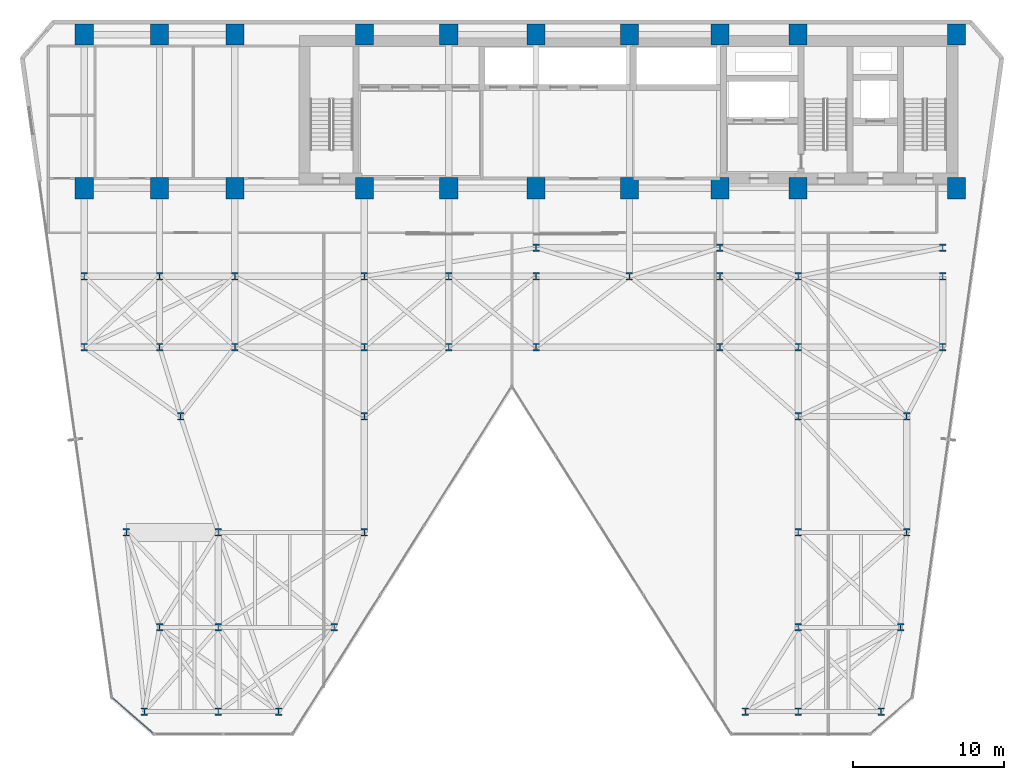
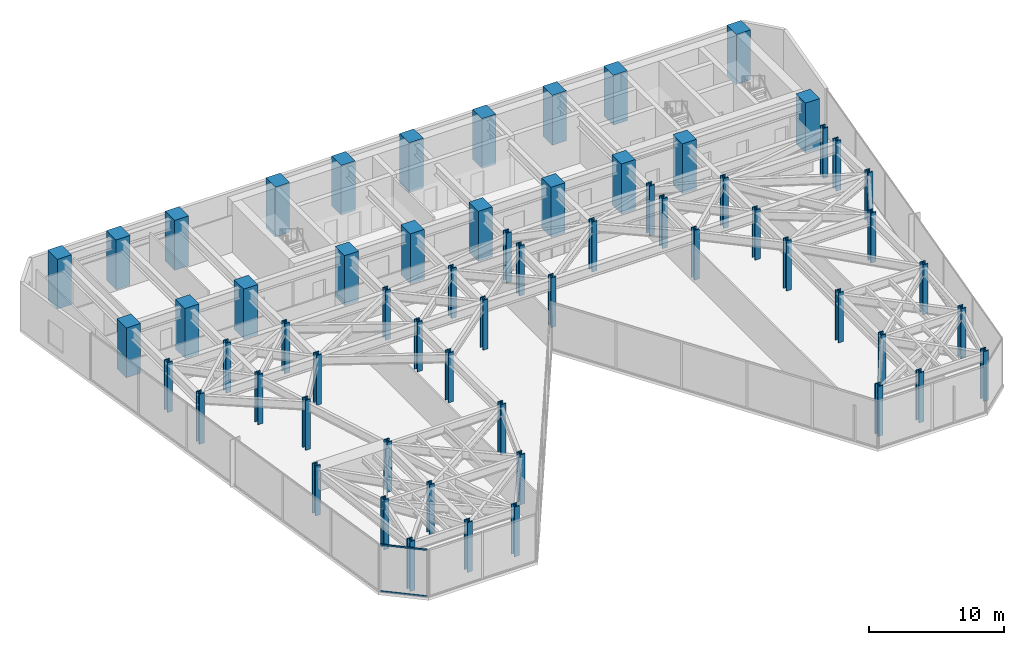
# One storey, part 1 of 28: 62 columns, 2 members, 1 element without a shape of its own.
"""IFC4 building model written with IfcOpenShell, lengths in metres."""

from ifc_helpers import new_model, si_unit, direction, frame, origin, origin_2d, place, context, subcontext, project, spatial, rectangle, hollow_rectangle, i_section, extrude, material, layer, layer_set, material_profile, profile_set, type_object, element, aggregate, save


model = new_model("IFC4")

# Units and contexts
model_context = context("Model", 3, precision=1e-05, world=origin(), true_north=direction((0.0, 1.0)))
body_context = subcontext(model_context, "Body", "Model", "MODEL_VIEW")
ifc_project = project(units=[si_unit("LENGTHUNIT", "METRE"), si_unit("AREAUNIT", "SQUARE_METRE"), si_unit("VOLUMEUNIT", "CUBIC_METRE"), si_unit("PLANEANGLEUNIT", "RADIAN"), si_unit("MASSUNIT", "GRAM", prefix="KILO")], contexts=[model_context])

# Site, building, storey
site_placement = place(None, origin())
site = spatial("IfcSite", under=ifc_project, at=site_placement, CompositionType="ELEMENT")
building_placement = place(site_placement, origin())
building = spatial("IfcBuilding", under=site, at=building_placement, Name="Kravanh Interchange Tower", CompositionType="ELEMENT")
storey_placement = place(building_placement, frame((0.0, 0.0, 91.5)))
storey = spatial("IfcBuildingStorey", under=building, at=storey_placement, Name="L21", CompositionType="ELEMENT", Elevation=91.5)

# Columns
ifc_material_1 = material(Name="Concrete C70/85", Category="concrete")
ifc_material_profile_1 = material_profile(ifc_material_1, rectangle(XDim=1.199951171875, YDim=1.39990234375, at=origin_2d()), Name="RC1200X1400")
ifc_profile_set_1 = profile_set([ifc_material_profile_1], Name="Concrete C70/85")
column_type_1 = type_object("IfcColumnType", Name="Column RC1200X1400 Concrete C70/85", PredefinedType="COLUMN", material=ifc_profile_set_1)
for number, where, z_axis, x_axis, name in (
    (1, (66.5, 47.550048828125, 0.0), (0.0, 0.0, 1.0), (1.0, 0.0, 0.0), "L21 Column CS01"),
    (2, (56.0, 47.550048828125, 0.0), (0.0, 0.0, 1.0), (1.0, 0.0, 0.0), "L21 Column CS02"),
    (3, (66.5, 37.35009765625, 0.0), (0.0, 0.0, 1.0), (1.0, 0.0, 0.0), "L21 Column CS03"),
    (4, (56.0, 37.35009765625, 0.0), (0.0, 0.0, 1.0), (1.0, 0.0, 0.0), "L21 Column CS04"),
    (5, (50.800048828125, 47.550048828125, 0.0), (0.0, 0.0, 1.0), (1.0, 0.0, 0.0), "L21 Column CS05"),
    (6, (50.800048828125, 37.35009765625, 0.0), (0.0, 0.0, 1.0), (1.0, 0.0, 0.0), "L21 Column CS06"),
    (7, (44.800048828125, 37.35009765625, 0.0), (0.0, 0.0, 1.0), (1.0, 0.0, 0.0), "L21 Column CS07"),
    (8, (44.800048828125, 47.550048828125, 0.0), (0.0, 0.0, 1.0), (1.0, 0.0, 0.0), "L21 Column CS08"),
    (9, (38.60009765625, 37.35009765625, 0.0), (0.0, 0.0, 1.0), (1.0, 0.0, 0.0), "L21 Column CS09"),
    (10, (38.60009765625, 47.550048828125, 0.0), (0.0, 0.0, 1.0), (1.0, 0.0, 0.0), "L21 Column CS10"),
    (11, (32.800048828125, 37.35009765625, 0.0), (0.0, 0.0, 1.0), (1.0, 0.0, 0.0), "L21 Column CS11"),
    (12, (32.800048828125, 47.550048828125, 0.0), (0.0, 0.0, 1.0), (1.0, 0.0, 0.0), "L21 Column CS12"),
    (13, (27.199951171875, 37.35009765625, 0.0), (0.0, 0.0, 1.0), (1.0, 0.0, 0.0), "L21 Column CS13"),
    (14, (27.199951171875, 47.550048828125, 0.0), (0.0, 0.0, 1.0), (1.0, 0.0, 0.0), "L21 Column CS14"),
    (15, (18.60009765625, 37.35009765625, 0.0), (0.0, 0.0, 1.0), (1.0, 0.0, 0.0), "L21 Column CS17"),
    (16, (18.60009765625, 47.550048828125, 0.0), (0.0, 0.0, 1.0), (1.0, 0.0, 0.0), "L21 Column CS18"),
    (17, (13.60009765625, 37.35009765625, 0.0), (0.0, 0.0, 1.0), (1.0, 0.0, 0.0), "L21 Column CS19"),
    (18, (13.60009765625, 47.550048828125, 0.0), (0.0, 0.0, 1.0), (1.0, 0.0, 0.0), "L21 Column CS20"),
    (19, (8.60009765625, 37.35009765625, 0.0), (0.0, 0.0, 1.0), (1.0, 0.0, 0.0), "L21 Column CS21"),
    (20, (8.60009765625, 47.550048828125, 0.0), (0.0, 0.0, 1.0), (1.0, 0.0, 0.0), "L21 Column CS22"),
):
    element("IfcColumn", number, at=place(storey_placement, frame(where, z_axis=z_axis, x_axis=x_axis)), inside=storey, type_object=column_type_1, Name=name, PredefinedType="COLUMN", context=body_context, shape_type="SweptSolid", body=[
        extrude(rectangle(XDim=1.199951171875, YDim=1.39990234375, at=origin_2d()), origin(), (0.0, 0.0, 1.0), 4.5),
    ])
ifc_material_2 = material(Name="Structural Steel S450", Category="steel")
ifc_material_profile_2 = material_profile(ifc_material_2, i_section(OverallWidth=0.431884765625, OverallDepth=0.498046875, WebThickness=0.0556640625, FlangeThickness=0.0888671875, FilletRadius=0.030029296875, at=origin_2d()), Name="W14X500")
ifc_profile_set_2 = profile_set([ifc_material_profile_2], Name="Structural Steel S450")
column_type_2 = type_object("IfcColumnType", Name="Column W14X500 Structural Steel S450", PredefinedType="COLUMN", material=ifc_profile_set_2)
for number, where, z_axis, x_axis, name in (
    (21, (12.60009765625, 2.60009765625, 0.0), (0.0, 0.0, 1.0), (1.0, 0.0, 0.0), "L21 Column CZ1_1"),
    (22, (56.0, 14.5, 0.0), (0.0, 0.0, 1.0), (1.0, 0.0, 0.0), "L21 Column CZ1_10"),
    (23, (63.199951171875, 14.5, 0.0), (0.0, 0.0, 1.0), (1.0, 0.0, 0.0), "L21 Column CZ1_11"),
    (24, (15.0, 22.199951171875, 0.0), (0.0, 0.0, 1.0), (1.0, 0.0, 0.0), "L21 Column CZ1_11B"),
    (25, (27.199951171875, 22.199951171875, 0.0), (0.0, 0.0, 1.0), (1.0, 0.0, 0.0), "L21 Column CZ1_11C"),
    (26, (56.0, 22.199951171875, 0.0), (0.0, 0.0, 1.0), (1.0, 0.0, 0.0), "L21 Column CZ1_11D"),
    (27, (63.199951171875, 22.199951171875, 0.0), (0.0, 0.0, 1.0), (1.0, 0.0, 0.0), "L21 Column CZ1_11E"),
    (28, (8.60009765625, 26.800048828125, 0.0), (0.0, 0.0, 1.0), (1.0, 0.0, 0.0), "L21 Column CZ1_12"),
    (29, (13.60009765625, 26.800048828125, 0.0), (0.0, 0.0, 1.0), (1.0, 0.0, 0.0), "L21 Column CZ1_13"),
    (30, (18.60009765625, 26.800048828125, 0.0), (0.0, 0.0, 1.0), (1.0, 0.0, 0.0), "L21 Column CZ1_14"),
    (31, (27.199951171875, 26.800048828125, 0.0), (0.0, 0.0, 1.0), (1.0, 0.0, 0.0), "L21 Column CZ1_15"),
    (32, (32.800048828125, 26.800048828125, 0.0), (0.0, 0.0, 1.0), (1.0, 0.0, 0.0), "L21 Column CZ1_16"),
    (33, (38.60009765625, 26.800048828125, 0.0), (0.0, 0.0, 1.0), (1.0, 0.0, 0.0), "L21 Column CZ1_16B"),
    (34, (50.800048828125, 26.800048828125, 0.0), (0.0, 0.0, 1.0), (1.0, 0.0, 0.0), "L21 Column CZ1_17"),
    (35, (56.0, 26.800048828125, 0.0), (0.0, 0.0, 1.0), (1.0, 0.0, 0.0), "L21 Column CZ1_18"),
    (36, (65.60009765625, 26.800048828125, 0.0), (0.0, 0.0, 1.0), (1.0, 0.0, 0.0), "L21 Column CZ1_19"),
    (37, (8.60009765625, 31.5, 0.0), (0.0, 0.0, 1.0), (1.0, 0.0, 0.0), "L21 Column CZ1_19B"),
    (38, (13.60009765625, 31.5, 0.0), (0.0, 0.0, 1.0), (1.0, 0.0, 0.0), "L21 Column CZ1_19C"),
    (39, (17.5, 2.60009765625, 0.0), (0.0, 0.0, 1.0), (1.0, 0.0, 0.0), "L21 Column CZ1_2"),
    (40, (18.60009765625, 31.5, 0.0), (0.0, 0.0, 1.0), (1.0, 0.0, 0.0), "L21 Column CZ1_20"),
    (41, (27.199951171875, 31.5, 0.0), (0.0, 0.0, 1.0), (1.0, 0.0, 0.0), "L21 Column CZ1_21"),
    (42, (32.800048828125, 31.5, 0.0), (0.0, 0.0, 1.0), (1.0, 0.0, 0.0), "L21 Column CZ1_22"),
    (43, (38.60009765625, 31.5, 0.0), (0.0, 0.0, 1.0), (1.0, 0.0, 0.0), "L21 Column CZ1_23"),
    (44, (44.800048828125, 31.5, 0.0), (0.0, 0.0, 1.0), (1.0, 0.0, 0.0), "L21 Column CZ1_24"),
    (45, (50.800048828125, 31.5, 0.0), (0.0, 0.0, 1.0), (1.0, 0.0, 0.0), "L21 Column CZ1_25"),
    (46, (56.0, 31.5, 0.0), (0.0, 0.0, 1.0), (1.0, 0.0, 0.0), "L21 Column CZ1_26"),
    (47, (65.60009765625, 31.5, 0.0), (0.0, 0.0, 1.0), (1.0, 0.0, 0.0), "L21 Column CZ1_27"),
    (48, (21.5, 2.60009765625, 0.0), (0.0, 0.0, 1.0), (1.0, 0.0, 0.0), "L21 Column CZ1_3"),
    (49, (52.5, 2.60009765625, 0.0), (0.0, 0.0, 1.0), (1.0, 0.0, 0.0), "L21 Column CZ1_4"),
    (50, (56.0, 2.60009765625, 0.0), (0.0, 0.0, 1.0), (1.0, 0.0, 0.0), "L21 Column CZ1_5"),
    (51, (61.5, 2.60009765625, 0.0), (0.0, 0.0, 1.0), (1.0, 0.0, 0.0), "L21 Column CZ1_5B"),
    (52, (13.60009765625, 8.199951171875, 0.0), (0.0, 0.0, 1.0), (1.0, 0.0, 0.0), "L21 Column CZ1_6"),
    (53, (17.5, 8.199951171875, 0.0), (0.0, 0.0, 1.0), (1.0, 0.0, 0.0), "L21 Column CZ1_6B"),
    (54, (25.199951171875, 8.199951171875, 0.0), (0.0, 0.0, 1.0), (1.0, 0.0, 0.0), "L21 Column CZ1_6C"),
    (55, (56.0, 8.199951171875, 0.0), (0.0, 0.0, 1.0), (1.0, 0.0, 0.0), "L21 Column CZ1_6D"),
    (56, (62.800048828125, 8.199951171875, 0.0), (0.0, 0.0, 1.0), (1.0, 0.0, 0.0), "L21 Column CZ1_6E"),
    (57, (11.39990234375, 14.5, 0.0), (0.0, 0.0, 1.0), (1.0, 0.0, 0.0), "L21 Column CZ1_7"),
    (58, (17.5, 14.5, 0.0), (0.0, 0.0, 1.0), (1.0, 0.0, 0.0), "L21 Column CZ1_7B"),
    (59, (27.199951171875, 14.5, 0.0), (0.0, 0.0, 1.0), (1.0, 0.0, 0.0), "L21 Column CZ1_8"),
    (60, (38.60009765625, 33.39990234375, 0.0), (0.0, 0.0, 1.0), (1.0, 0.0, 0.0), "L21 Column CZ1_M1"),
    (61, (50.800048828125, 33.39990234375, 0.0), (0.0, 0.0, 1.0), (1.0, 0.0, 0.0), "L21 Column CZ1_M2"),
    (62, (65.60009765625, 33.39990234375, 0.0), (0.0, 0.0, 1.0), (1.0, 0.0, 0.0), "L21 Column CZ1_M3"),
):
    element("IfcColumn", number, at=place(storey_placement, frame(where, z_axis=z_axis, x_axis=x_axis)), inside=storey, type_object=column_type_2, Name=name, PredefinedType="COLUMN", context=body_context, shape_type="SweptSolid", body=[
        extrude(i_section(OverallWidth=0.431884765625, OverallDepth=0.498046875, WebThickness=0.0556640625, FlangeThickness=0.0888671875, FilletRadius=0.030029296875, at=origin_2d()), origin(), (0.0, 0.0, 1.0), 4.5),
    ])

# Curtain wall, members
ifc_material_3 = material(Name="Anodised Bronze Aluminium", Category="aluminium")
ifc_layer = layer(ifc_material_3, 0.179931640625)
ifc_layer_set = layer_set([ifc_layer], Name="Unitised Curtain Wall System CW-SKY Sky Observatory")
curtain_wall_type = type_object("IfcCurtainWallType", Name="Unitised Curtain Wall System CW-SKY Sky Observatory", PredefinedType="NOTDEFINED", material=ifc_layer_set)
curtain_wall_placement = place(storey_placement, origin())
curtain_wall = element("IfcCurtainWall", 63, at=curtain_wall_placement, inside=storey, type_object=curtain_wall_type, Name="L21 Unitised Curtain Wall CW-L21-08", PredefinedType="NOTDEFINED")
ifc_material_4 = material(Name="Anodised Bronze Aluminium", Category="aluminium")
ifc_material_profile_3 = material_profile(ifc_material_4, hollow_rectangle(XDim=0.06005859375, YDim=0.139892578125, WallThickness=0.00390625, at=origin_2d()), Name="ALU60X140X4")
ifc_profile_set_3 = profile_set([ifc_material_profile_3], Name="Anodised Bronze Aluminium")
member_type = type_object("IfcMemberType", Name="Curtain Wall Transom ALU60X140X4 Bronze", PredefinedType="USERDEFINED", material=ifc_profile_set_3)
member_1_placement = place(storey_placement, frame((13.167724609375, 1.166015625, 0.030029296875), z_axis=(-0.754710815466, 0.656057608004, 0.0), x_axis=(-0.656057608004, -0.754710815466, 0.0)))
member_1 = element("IfcMember", 64, at=member_1_placement, type_object=member_type, Name="CW-SKY transom 1.1", ObjectType="TRANSOM", PredefinedType="USERDEFINED", context=body_context, shape_type="SweptSolid", body=[
    extrude(hollow_rectangle(XDim=0.06005859375, YDim=0.139892578125, WallThickness=0.00390625, at=origin_2d()), origin(), (0.0, 0.0, 1.0), 3.543701171875),
])
member_2_placement = place(storey_placement, frame((13.167724609375, 1.166015625, 4.219970703125), z_axis=(-0.754710815466, 0.656057608004, 0.0), x_axis=(-0.656057608004, -0.754710815466, 0.0)))
member_2 = element("IfcMember", 65, at=member_2_placement, type_object=member_type, Name="CW-SKY transom 1.2", ObjectType="TRANSOM", PredefinedType="USERDEFINED", context=body_context, shape_type="SweptSolid", body=[
    extrude(hollow_rectangle(XDim=0.06005859375, YDim=0.139892578125, WallThickness=0.00390625, at=origin_2d()), origin(), (0.0, 0.0, 1.0), 3.543701171875),
])
aggregate(curtain_wall, [member_1, member_2])

save(model, "model.ifc")
